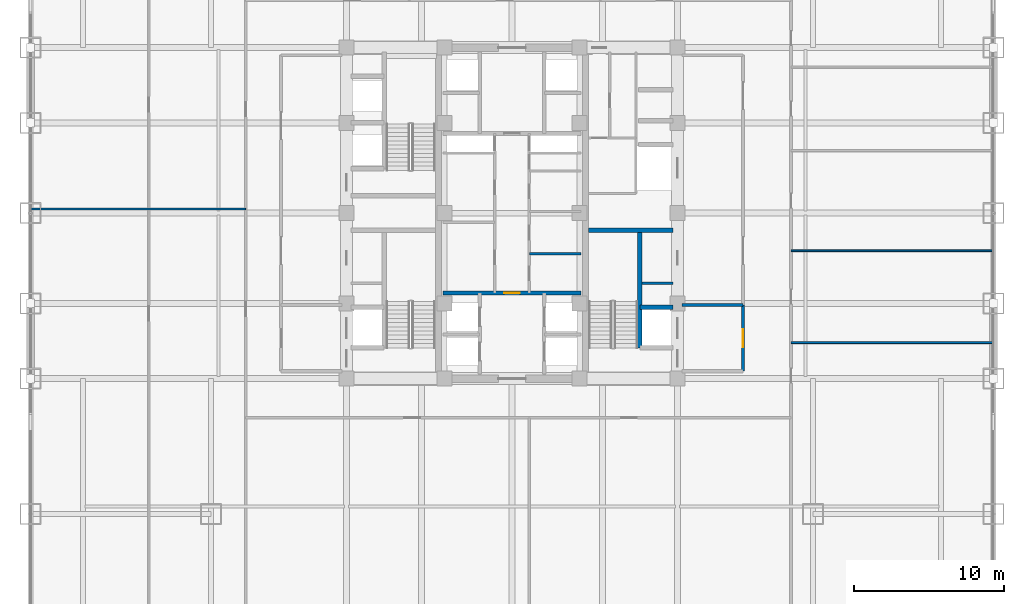
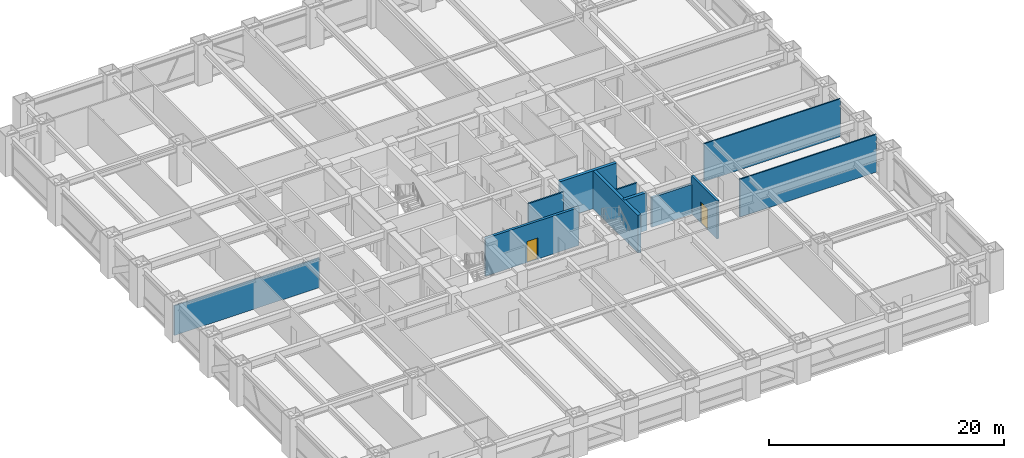
# One storey, part 24 of 32: 11 walls, 2 doors, 2 openings.
"""IFC4 building model written with IfcOpenShell, lengths in metres."""

from ifc_helpers import new_model, si_unit, direction, frame, frame_2d, origin, place, context, subcontext, project, spatial, rectangle, extrude, source, transform, mapped, material, layer, layer_set, type_object, element, fill, save


model = new_model("IFC4")

# Units and contexts
model_context = context("Model", 3, precision=1e-05, world=origin(), true_north=direction((0.0, 1.0)))
body_context = subcontext(model_context, "Body", "Model", "MODEL_VIEW")
ifc_project = project(units=[si_unit("LENGTHUNIT", "METRE"), si_unit("AREAUNIT", "SQUARE_METRE"), si_unit("VOLUMEUNIT", "CUBIC_METRE"), si_unit("PLANEANGLEUNIT", "RADIAN"), si_unit("MASSUNIT", "GRAM", prefix="KILO")], contexts=[model_context])

# Site, building, storey
site_placement = place(None, origin())
site = spatial("IfcSite", under=ifc_project, at=site_placement, CompositionType="ELEMENT")
building_placement = place(site_placement, origin())
building = spatial("IfcBuilding", under=site, at=building_placement, Name="Khorayat Bourse Tower", CompositionType="ELEMENT")
storey_placement = place(building_placement, frame((0.0, 0.0, 78.800048828125)))
storey = spatial("IfcBuildingStorey", under=building, at=storey_placement, Name="L17", CompositionType="ELEMENT", Elevation=78.800048828125)

# Walls
ifc_material_1 = material(Name="Concrete C50/60", Category="concrete")
ifc_layer_1 = layer(ifc_material_1, 0.300048828125)
ifc_layer_set_1 = layer_set([ifc_layer_1], Name="Concrete C50/60")
wall_type_1 = type_object("IfcWallType", Name="WAL-SHAFT-300", PredefinedType="SHEAR", material=ifc_layer_set_1)
shared_shape_1 = source(origin(), body_context, "Body", "SweptSolid", [
    extrude(rectangle(XDim=5.599853515625, YDim=0.300048828125, at=frame_2d((2.7998046875, 0.0))), origin(), (0.0, 0.0, 1.0), 3.93994140625),
])
wall_1_placement = place(storey_placement, frame((5.10009765625, -1.14990234375, 0.0), z_axis=(0.0, 0.0, 1.0), x_axis=(1.0, 0.0, 0.0)))
element("IfcWall", 1, at=wall_1_placement, inside=storey, type_object=wall_type_1, Name="L17 Core Shear Wall ST3-DIV", PredefinedType="SHEAR", context=body_context, shape_type="MappedRepresentation", body=[
    mapped(shared_shape_1, transform((0.0, 0.0, 0.0), scale=1.0)),
])
shared_shape_2 = source(origin(), body_context, "Body", "SweptSolid", [
    extrude(rectangle(XDim=7.800048828125, YDim=0.300048828125, at=frame_2d((3.89990234375, 0.0))), origin(), (0.0, 0.0, 1.0), 3.93994140625),
])
wall_2_placement = place(storey_placement, frame((8.5, -8.949951171875, 0.0), z_axis=(0.0, 0.0, 1.0), x_axis=(0.0, 1.0, 0.0)))
element("IfcWall", 2, at=wall_2_placement, inside=storey, type_object=wall_type_1, Name="L17 Partition WAL-L17-EPIER-SP", PredefinedType="SHEAR", context=body_context, shape_type="MappedRepresentation", body=[
    mapped(shared_shape_2, transform((0.0, 0.0, 0.0), scale=1.0)),
])
shared_shape_3 = source(origin(), body_context, "Body", "SweptSolid", [
    extrude(rectangle(XDim=2.199951171875, YDim=0.300048828125, at=frame_2d((1.10009765625, 0.0))), origin(), (0.0, 0.0, 1.0), 3.93994140625),
])
wall_3_placement = place(storey_placement, frame((8.5, -6.25, 0.0), z_axis=(0.0, 0.0, 1.0), x_axis=(1.0, 0.0, 0.0)))
element("IfcWall", 3, at=wall_3_placement, inside=storey, type_object=wall_type_1, Name="L17 Partition WAL-L17-EPIER-FF2N", PredefinedType="SHEAR", context=body_context, shape_type="MappedRepresentation", body=[
    mapped(shared_shape_3, transform((0.0, 0.0, 0.0), scale=1.0)),
])
ifc_material_2 = material(Name="Gypsum plasterboard twin-frame partition")
ifc_layer_2 = layer(ifc_material_2, 0.14990234375)
ifc_layer_set_2 = layer_set([ifc_layer_2], Name="Gypsum plasterboard twin-frame partition")
wall_type_2 = type_object("IfcWallType", Name="WAL-PART-SUITE-150", PredefinedType="PARTITIONING", material=ifc_layer_set_2)
shared_shape_4 = source(origin(), body_context, "Body", "SweptSolid", [
    extrude(rectangle(XDim=2.050048828125, YDim=0.14990234375, at=frame_2d((1.02490234375, 0.0))), origin(), (0.0, 0.0, 1.0), 3.93994140625),
])
wall_4_placement = place(storey_placement, frame((8.64990234375, -4.64990234375, 0.0), z_axis=(0.0, 0.0, 1.0), x_axis=(1.0, 0.0, 0.0)))
element("IfcWall", 4, at=wall_4_placement, inside=storey, type_object=wall_type_2, Name="L17 Partition WAL-L17-ESRV-S0", PredefinedType="PARTITIONING", context=body_context, shape_type="MappedRepresentation", body=[
    mapped(shared_shape_4, transform((0.0, 0.0, 0.0), scale=1.0)),
])
ifc_material_3 = material(Name="Aerated concrete blockwork", Category="masonry")
ifc_layer_3 = layer(ifc_material_3, 0.219970703125)
ifc_layer_set_3 = layer_set([ifc_layer_3], Name="Aerated concrete blockwork")
wall_type_3 = type_object("IfcWallType", Name="WAL-PART-FF-220", PredefinedType="PARTITIONING", material=ifc_layer_set_3)
shared_shape_5 = source(origin(), body_context, "Body", "SweptSolid", [
    extrude(rectangle(XDim=4.050048828125, YDim=0.219970703125, at=frame_2d((2.02490234375, 0.0))), origin(), (0.0, 0.0, 1.0), 3.0849609375),
])
wall_5_placement = place(storey_placement, frame((11.300048828125, -6.10009765625, 0.0), z_axis=(0.0, 0.0, 1.0), x_axis=(1.0, 0.0, 0.0)))
element("IfcWall", 5, at=wall_5_placement, inside=storey, type_object=wall_type_3, Name="L17 Partition WAL-L17-FFLE-N", PredefinedType="PARTITIONING", context=body_context, shape_type="MappedRepresentation", body=[
    mapped(shared_shape_5, transform((0.0, 0.0, 0.0), scale=1.0)),
])

# Wall, opening, door
shared_shape_6 = source(origin(), body_context, "Body", "SweptSolid", [
    extrude(rectangle(XDim=4.39990234375, YDim=0.219970703125, at=frame_2d((2.199951171875, 0.0))), origin(), (0.0, 0.0, 1.0), 3.93994140625),
])
wall_6_placement = place(storey_placement, frame((15.35009765625, -10.5, 0.0), z_axis=(0.0, 0.0, 1.0), x_axis=(0.0, 1.0, 0.0)))
wall_6 = element("IfcWall", 6, at=wall_6_placement, inside=storey, type_object=wall_type_3, Name="L17 Partition WAL-L17-FFLE-E", PredefinedType="PARTITIONING", context=body_context, shape_type="MappedRepresentation", body=[
    mapped(shared_shape_6, transform((0.0, 0.0, 0.0), scale=1.0)),
])
shared_shape_7 = source(origin(), body_context, "Body", "SweptSolid", [
    extrude(rectangle(XDim=1.199951171875, YDim=2.199951171875, at=frame_2d((0.60009765625, 1.10009765625))), frame((0.0, 0.119873046875, 0.0), z_axis=(0.0, -1.0, 0.0), x_axis=(1.0, 0.0, 0.0)), (0.0, 0.0, 1.0), 0.239990234375),
])
opening_1_placement = place(wall_6_placement, frame((1.60009765625, 0.0, 0.0)))
opening_1 = element("IfcOpeningElement", 7, at=opening_1_placement, cuts=wall_6, Name="Opening DI-02", PredefinedType="OPENING", context=body_context, shape_type="MappedRepresentation", body=[
    mapped(shared_shape_7, transform((0.0, 0.0, 0.0), scale=1.0)),
])
ifc_material_4 = material(Name="Fire-rated steel double-seal leaf", Category="steel")
door_type_1 = type_object("IfcDoorType", Name="DR-INT-FFLOBBY-1200", OperationType="NOTDEFINED", PredefinedType="DOOR", material=ifc_material_4)
shared_shape_8 = source(origin(), body_context, "Body", "SweptSolid", [
    extrude(rectangle(XDim=1.199951171875, YDim=2.199951171875, at=frame_2d((0.60009765625, 1.10009765625))), frame((0.0, 0.02490234375, 0.0), z_axis=(0.0, -1.0, 0.0), x_axis=(1.0, 0.0, 0.0)), (0.0, 0.0, 1.0), 0.050048828125),
])
door_1_placement = place(opening_1_placement, origin())
door_1 = element("IfcDoor", 8, at=door_1_placement, inside=storey, type_object=door_type_1, Name="L17 East Firefighting Lobby Door", OperationType="SINGLE_SWING_RIGHT", OverallHeight=2.199951171875, OverallWidth=1.199951171875, PredefinedType="DOOR", context=body_context, shape_type="MappedRepresentation", body=[
    mapped(shared_shape_8, transform((0.0, 0.0, 0.0), scale=1.0)),
])
fill(opening_1, door_1)

shared_shape_9 = source(origin(), body_context, "Body", "SweptSolid", [
    extrude(rectangle(XDim=9.2001953125, YDim=0.25, at=frame_2d((4.60009765625, 0.0))), origin(), (0.0, 0.0, 1.0), 3.93994140625),
])
wall_7_placement = place(storey_placement, frame((-4.60009765625, -5.300048828125, 0.0), z_axis=(0.0, 0.0, 1.0), x_axis=(1.0, 0.0, 0.0)))
wall_7 = element("IfcWall", 9, at=wall_7_placement, inside=storey, type_object=wall_type_1, Name="L17 Partition WAL-L17-B1-N", PredefinedType="SHEAR", context=body_context, shape_type="MappedRepresentation", body=[
    mapped(shared_shape_9, transform((0.0, 0.0, 0.0), scale=1.0)),
])
shared_shape_10 = source(origin(), body_context, "Body", "SweptSolid", [
    extrude(rectangle(XDim=1.050048828125, YDim=2.199951171875, at=frame_2d((0.52490234375, 1.10009765625))), frame((0.0, 0.135009765625, 0.0), z_axis=(0.0, -1.0, 0.0), x_axis=(1.0, 0.0, 0.0)), (0.0, 0.0, 1.0), 0.27001953125),
])
opening_2_placement = place(wall_7_placement, frame((4.074951171875, 0.0, 0.0)))
opening_2 = element("IfcOpeningElement", 10, at=opening_2_placement, cuts=wall_7, Name="Opening DI-04", PredefinedType="OPENING", context=body_context, shape_type="MappedRepresentation", body=[
    mapped(shared_shape_10, transform((0.0, 0.0, 0.0), scale=1.0)),
])
ifc_material_5 = material(Name="Fire-rated oak veneer suite entrance door")
door_type_2 = type_object("IfcDoorType", Name="DR-INT-SUITE-1050", OperationType="NOTDEFINED", PredefinedType="DOOR", material=ifc_material_5)
shared_shape_11 = source(origin(), body_context, "Body", "SweptSolid", [
    extrude(rectangle(XDim=1.050048828125, YDim=2.199951171875, at=frame_2d((0.52490234375, 1.10009765625))), frame((0.0, 0.02490234375, 0.0), z_axis=(0.0, -1.0, 0.0), x_axis=(1.0, 0.0, 0.0)), (0.0, 0.0, 1.0), 0.050048828125),
])
door_2_placement = place(opening_2_placement, origin())
door_2 = element("IfcDoor", 11, at=door_2_placement, inside=storey, type_object=door_type_2, Name="L17 Core Spine South Door", OperationType="SINGLE_SWING_LEFT", OverallHeight=2.199951171875, OverallWidth=1.050048828125, PredefinedType="DOOR", context=body_context, shape_type="MappedRepresentation", body=[
    mapped(shared_shape_11, transform((0.0, 0.0, 0.0), scale=1.0)),
])
fill(opening_2, door_2)

# Walls
ifc_material_6 = material(Name="Moisture-resistant masonry partition", Category="masonry")
ifc_layer_4 = layer(ifc_material_6, 0.139892578125)
ifc_layer_set_4 = layer_set([ifc_layer_4], Name="Moisture-resistant masonry partition")
wall_type_4 = type_object("IfcWallType", Name="WAL-PART-WET-140", PredefinedType="PARTITIONING", material=ifc_layer_set_4)
shared_shape_12 = source(origin(), body_context, "Body", "SweptSolid", [
    extrude(rectangle(XDim=3.4501953125, YDim=0.139892578125, at=frame_2d((1.72509765625, 0.0))), origin(), (0.0, 0.0, 1.0), 3.93994140625),
])
wall_8_placement = place(storey_placement, frame((1.14990234375, -2.699951171875, 0.0), z_axis=(0.0, 0.0, 1.0), x_axis=(1.0, 0.0, 0.0)))
element("IfcWall", 12, at=wall_8_placement, inside=storey, type_object=wall_type_4, Name="L17 Partition WAL-L17-CME-D1", PredefinedType="PARTITIONING", context=body_context, shape_type="MappedRepresentation", body=[
    mapped(shared_shape_12, transform((0.0, 0.0, 0.0), scale=1.0)),
])
ifc_material_7 = material(Name="Gypsum plasterboard partition")
ifc_layer_5 = layer(ifc_material_7, 0.125)
ifc_layer_set_5 = layer_set([ifc_layer_5], Name="Gypsum plasterboard partition")
wall_type_5 = type_object("IfcWallType", Name="WAL-PART-ROOM-125", PredefinedType="PARTITIONING", material=ifc_layer_set_5)
shared_shape_13 = source(origin(), body_context, "Body", "SweptSolid", [
    extrude(rectangle(XDim=13.449951171875, YDim=0.125, at=frame_2d((6.72509765625, 0.0))), origin(), (0.0, 0.0, 1.0), 3.93994140625),
])
for number, where, z_axis, x_axis, name in (
    (13, (18.550048828125, -8.60498046875, 0.0), (0.0, 0.0, 1.0), (1.0, 0.0, 0.0), "L17 Partition WAL-L17-EDV-1"),
    (14, (18.550048828125, -2.5, 0.0), (0.0, 0.0, 1.0), (1.0, 0.0, 0.0), "L17 Partition WAL-L17-EDV-2"),
):
    element("IfcWall", number, at=place(storey_placement, frame(where, z_axis=z_axis, x_axis=x_axis)), inside=storey, type_object=wall_type_5, Name=name, PredefinedType="PARTITIONING", context=body_context, shape_type="MappedRepresentation", body=[
        mapped(shared_shape_13, transform((0.0, 0.0, 0.0), scale=1.0)),
    ])
shared_shape_14 = source(origin(), body_context, "Body", "SweptSolid", [
    extrude(rectangle(XDim=14.300048828125, YDim=0.125, at=frame_2d((7.14990234375, 0.0))), origin(), (0.0, 0.0, 1.0), 3.0849609375),
])
wall_9_placement = place(storey_placement, frame((-32.0, 0.27490234375, 0.0), z_axis=(0.0, 0.0, 1.0), x_axis=(1.0, 0.0, 0.0)))
element("IfcWall", 15, at=wall_9_placement, inside=storey, type_object=wall_type_5, Name="L17 Partition WAL-L17-WDV-1", PredefinedType="PARTITIONING", context=body_context, shape_type="MappedRepresentation", body=[
    mapped(shared_shape_14, transform((0.0, 0.0, 0.0), scale=1.0)),
])

save(model, "model.ifc")
